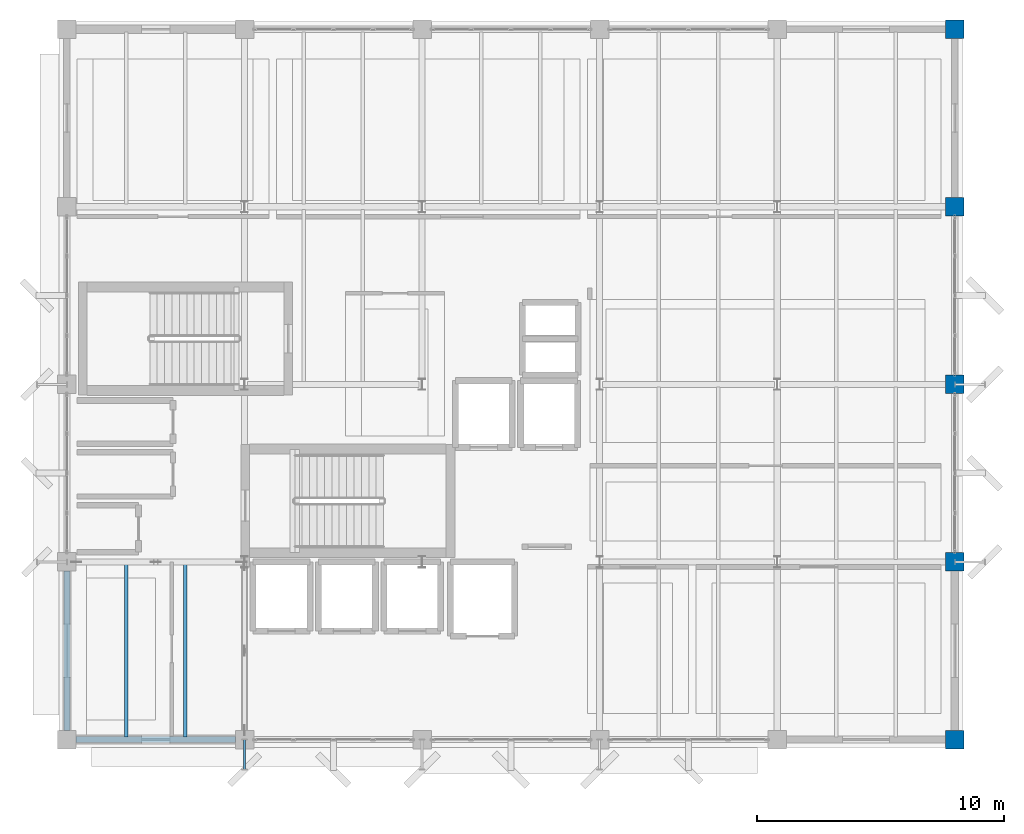
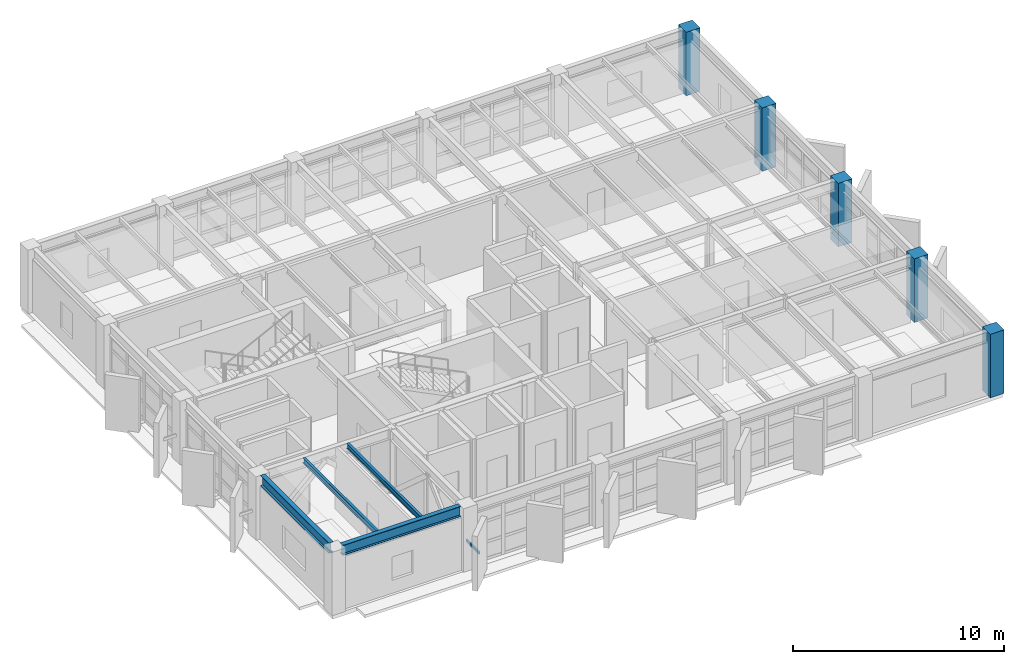
# One storey, part 3 of 24: 5 columns, 4 beams, 1 member.
"""IFC4 building model written with IfcOpenShell, lengths in metres."""

from ifc_helpers import new_model, si_unit, direction, frame, origin, origin_2d, place, context, subcontext, project, spatial, rectangle, hollow_rectangle, i_section, extrude, material, material_profile, profile_set, type_object, element, save


model = new_model("IFC4")

# Units and contexts
model_context = context("Model", 3, precision=1e-05, world=origin(), true_north=direction((0.0, 1.0)))
body_context = subcontext(model_context, "Body", "Model", "MODEL_VIEW")
ifc_project = project(units=[si_unit("LENGTHUNIT", "METRE"), si_unit("AREAUNIT", "SQUARE_METRE"), si_unit("VOLUMEUNIT", "CUBIC_METRE"), si_unit("PLANEANGLEUNIT", "RADIAN"), si_unit("MASSUNIT", "GRAM", prefix="KILO")], contexts=[model_context])

# Site, building, storey
site_placement = place(None, origin())
site = spatial("IfcSite", under=ifc_project, at=site_placement, CompositionType="ELEMENT")
building_placement = place(site_placement, origin())
building = spatial("IfcBuilding", under=site, at=building_placement, Name="Kandorven Conservatory and Botanical Research Centre", CompositionType="ELEMENT")
storey_placement = place(building_placement, frame((0.0, 0.0, 21.0)))
storey = spatial("IfcBuildingStorey", under=building, at=storey_placement, Name="L05", CompositionType="ELEMENT", Elevation=21.0)

# Columns
ifc_material_1 = material(Name="Concrete C40/50 (M50)", Category="concrete")
ifc_material_profile_1 = material_profile(ifc_material_1, rectangle(XDim=0.75, YDim=0.75, at=origin_2d()))
ifc_profile_set_1 = profile_set([ifc_material_profile_1], Name="Concrete C40/50 (M50)")
column_type = type_object("IfcColumnType", Name="Col_TC-03", PredefinedType="COLUMN", material=ifc_profile_set_1)
for number, where, z_axis, x_axis, name in (
    (1, (42.0, 6.0, 0.0), (0.0, 0.0, 1.0), (1.0, 0.0, 0.0), "Column TC-03 TWR L05 (6,1)"),
    (2, (42.0, 13.199951171875, 0.0), (0.0, 0.0, 1.0), (1.0, 0.0, 0.0), "Column TC-03 TWR L05 (6,2)"),
    (3, (42.0, 20.39990234375, 0.0), (0.0, 0.0, 1.0), (1.0, 0.0, 0.0), "Column TC-03 TWR L05 (6,3)"),
    (4, (42.0, 27.60009765625, 0.0), (0.0, 0.0, 1.0), (1.0, 0.0, 0.0), "Column TC-03 TWR L05 (6,4)"),
    (5, (42.0, 34.800048828125, 0.0), (0.0, 0.0, 1.0), (1.0, 0.0, 0.0), "Column TC-03 TWR L05 (6,5)"),
):
    element("IfcColumn", number, at=place(storey_placement, frame(where, z_axis=z_axis, x_axis=x_axis)), inside=storey, type_object=column_type, Name=name, PredefinedType="COLUMN", context=body_context, shape_type="SweptSolid", body=[
        extrude(rectangle(XDim=0.75, YDim=0.75, at=origin_2d()), origin(), (0.0, 0.0, 1.0), 3.669921875),
    ])

# Beams
ifc_material_2 = material(Name="Steel S355 (IS 2062 E350)", Category="steel")
ifc_material_profile_2 = material_profile(ifc_material_2, i_section(OverallWidth=0.25, OverallDepth=0.60009765625, WebThickness=0.01171875, FlangeThickness=0.023681640625, at=origin_2d()))
ifc_profile_set_2 = profile_set([ifc_material_profile_2], Name="Steel S355 (IS 2062 E350)")
beam_type_1 = type_object("IfcBeamType", Name="Beam_FG-01", PredefinedType="USERDEFINED", material=ifc_profile_set_2)
for number, where, z_axis, x_axis, name in (
    (6, (6.364990234375, 6.0, 3.3701171875), (1.0, 0.0, 0.0), (0.0, 1.0, 0.0), "Primary girder FG-01 TWR L05"),
    (7, (6.0, 6.364990234375, 3.3701171875), (0.0, 1.0, 0.0), (-1.0, 0.0, 0.0), "Primary girder FG-01 TWR L05"),
):
    element("IfcBeam", number, at=place(storey_placement, frame(where, z_axis=z_axis, x_axis=x_axis)), inside=storey, type_object=beam_type_1, Name=name, ObjectType="GIRDER", PredefinedType="USERDEFINED", context=body_context, shape_type="SweptSolid", body=[
        extrude(i_section(OverallWidth=0.25, OverallDepth=0.60009765625, WebThickness=0.01171875, FlangeThickness=0.023681640625, at=origin_2d()), origin(), (0.0, 0.0, 1.0), 6.469970703125),
    ])
ifc_material_3 = material(Name="Steel S355 (IS 2062 E350)", Category="steel")
ifc_material_profile_3 = material_profile(ifc_material_3, i_section(OverallWidth=0.139892578125, OverallDepth=0.300048828125, WebThickness=0.0078125, FlangeThickness=0.01318359375, at=origin_2d()))
ifc_profile_set_3 = profile_set([ifc_material_profile_3], Name="Steel S355 (IS 2062 E350)")
beam_type_2 = type_object("IfcBeamType", Name="Beam_SB-07", PredefinedType="BEAM", material=ifc_profile_set_3)
for number, where, z_axis, x_axis, name in (
    (8, (8.39990234375, 6.110107421875, 3.52001953125), (0.0, 1.0, 0.0), (-1.0, 0.0, 0.0), "Composite secondary beam SB-07 TWR L05"),
    (9, (10.800048828125, 6.110107421875, 3.52001953125), (0.0, 1.0, 0.0), (-1.0, 0.0, 0.0), "Composite secondary beam SB-07 TWR L05"),
):
    element("IfcBeam", number, at=place(storey_placement, frame(where, z_axis=z_axis, x_axis=x_axis)), inside=storey, type_object=beam_type_2, Name=name, PredefinedType="BEAM", context=body_context, shape_type="SweptSolid", body=[
        extrude(i_section(OverallWidth=0.139892578125, OverallDepth=0.300048828125, WebThickness=0.0078125, FlangeThickness=0.01318359375, at=origin_2d()), origin(), (0.0, 0.0, 1.0), 6.97998046875),
    ])

# Member
ifc_material_4 = material(Name="Steel S355 (IS 2062 E350)", Category="steel")
ifc_material_profile_4 = material_profile(ifc_material_4, hollow_rectangle(XDim=0.074951171875, YDim=0.14990234375, WallThickness=0.006103515625, at=origin_2d()))
ifc_profile_set_4 = profile_set([ifc_material_profile_4], Name="Steel S355 (IS 2062 E350)")
member_type = type_object("IfcMemberType", Name="Mem_SF-01", PredefinedType="STRUT", material=ifc_profile_set_4)
member_placement = place(storey_placement, frame((13.199951171875, 6.0, 1.5), z_axis=(0.0, -1.0, 0.0), x_axis=(1.0, 0.0, 0.0)))
element("IfcMember", 10, at=member_placement, inside=storey, type_object=member_type, Name="Solar fin steel outrigger strut SF-01 #45", PredefinedType="STRUT", context=body_context, shape_type="SweptSolid", body=[
    extrude(hollow_rectangle(XDim=0.074951171875, YDim=0.14990234375, WallThickness=0.006103515625, at=origin_2d()), origin(), (0.0, 0.0, 1.0), 1.219970703125),
])

save(model, "model.ifc")
